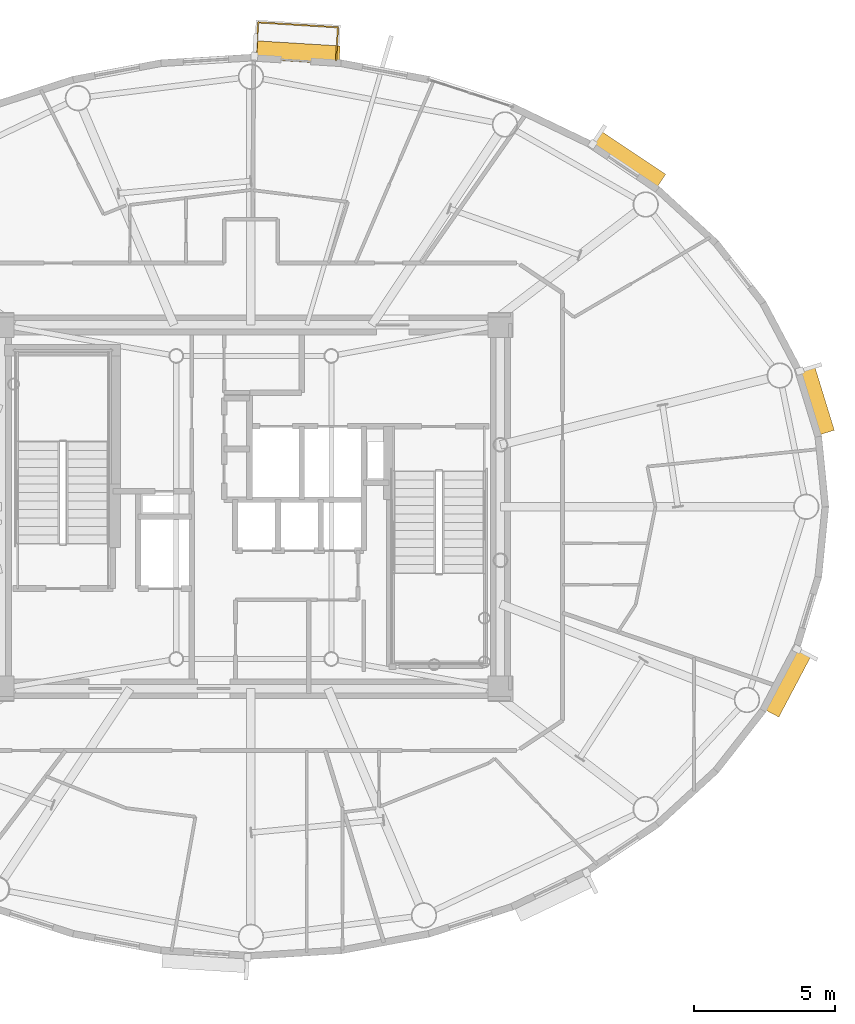
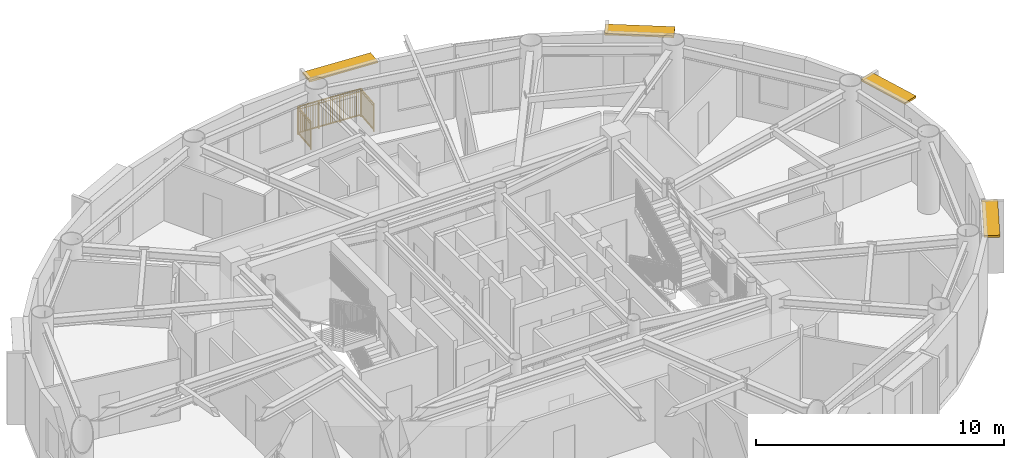
# One storey, part 17 of 17: 4 shading devices, 1 railing.
"""IFC4 building model written with IfcOpenShell, lengths in metres."""

from ifc_helpers import new_model, si_unit, direction, frame, origin, origin_2d, place, context, subcontext, project, spatial, rectangle, extrude, source, transform, mapped, material, layer, layer_set, type_object, element, save


model = new_model("IFC4")

# Units and contexts
model_context = context("Model", 3, precision=1e-05, world=origin(), true_north=direction((0.0, 1.0)))
body_context = subcontext(model_context, "Body", "Model", "MODEL_VIEW")
ifc_project = project(units=[si_unit("LENGTHUNIT", "METRE"), si_unit("AREAUNIT", "SQUARE_METRE"), si_unit("VOLUMEUNIT", "CUBIC_METRE"), si_unit("PLANEANGLEUNIT", "RADIAN"), si_unit("MASSUNIT", "GRAM", prefix="KILO")], contexts=[model_context])

# Site, building, storey
site_placement = place(None, origin())
site = spatial("IfcSite", under=ifc_project, at=site_placement, CompositionType="ELEMENT")
building_placement = place(site_placement, origin())
building = spatial("IfcBuilding", under=site, at=building_placement, Name="Linh Dai School and Residence Tower", CompositionType="ELEMENT")
storey_placement = place(building_placement, frame((0.0, 0.0, 331.60009765625)))
storey = spatial("IfcBuildingStorey", under=building, at=storey_placement, Name="L82", CompositionType="ELEMENT", Elevation=331.60009765625)

# Shading devices
ifc_material_1 = material(Name="Terracotta Ceramic Sunshade", Category="masonry")
ifc_layer = layer(ifc_material_1, 0.10009765625)
ifc_layer_set = layer_set([ifc_layer], Name="Terracotta Ceramic Sunshade")
shading_device_type = type_object("IfcShadingDeviceType", Name="SHD-TC-650", PredefinedType="USERDEFINED", material=ifc_layer_set)
shared_shape_1 = source(origin(), body_context, "Body", "SweptSolid", [
    extrude(rectangle(XDim=2.4365234375, YDim=0.64990234375, at=origin_2d()), origin(), (0.0, 0.0, 1.0), 0.10009765625),
])
shading_device_1_placement = place(storey_placement, frame((56.025634765625, 30.78369140625, 3.429931640625), z_axis=(0.0, 0.0, 1.0), x_axis=(0.293094784248, -0.956083389379, 0.0)))
element("IfcShadingDevice", 1, at=shading_device_1_placement, inside=storey, type_object=shading_device_type, Name="L82 Terracotta Horizontal Sunshade Band 02", ObjectType="SUNSHADE", PredefinedType="USERDEFINED", context=body_context, shape_type="MappedRepresentation", body=[
    mapped(shared_shape_1, transform((0.0, 0.0, 0.0), x_axis=(1.0, 0.0, 0.0), y_axis=(0.0, 1.0, 0.0), z_axis=(0.0, 0.0, 1.0), scale=1.0)),
])
shared_shape_2 = source(origin(), body_context, "Body", "SweptSolid", [
    extrude(rectangle(XDim=2.8076171875, YDim=0.64990234375, at=origin_2d()), origin(), (0.0, 0.0, 1.0), 0.10009765625),
])
shading_device_2_placement = place(storey_placement, frame((49.361572265625, 39.303955078125, 3.429931640625), z_axis=(0.0, 0.0, 1.0), x_axis=(0.831201837679, -0.555970777144, 0.0)))
element("IfcShadingDevice", 2, at=shading_device_2_placement, inside=storey, type_object=shading_device_type, Name="L82 Terracotta Horizontal Sunshade Band 06", ObjectType="SUNSHADE", PredefinedType="USERDEFINED", context=body_context, shape_type="MappedRepresentation", body=[
    mapped(shared_shape_2, transform((0.0, 0.0, 0.0), x_axis=(1.0, 0.0, 0.0), y_axis=(0.0, 1.0, 0.0), z_axis=(0.0, 0.0, 1.0), scale=1.0)),
])
shared_shape_3 = source(origin(), body_context, "Body", "SweptSolid", [
    extrude(rectangle(XDim=3.069580078125, YDim=0.64990234375, at=origin_2d()), origin(), (0.0, 0.0, 1.0), 0.10009765625),
])
shading_device_3_placement = place(storey_placement, frame((37.61328125, 43.1162109375, 3.429931640625), z_axis=(0.0, 0.0, 1.0), x_axis=(0.998105945335, -0.061518467854, 0.0)))
element("IfcShadingDevice", 3, at=shading_device_3_placement, inside=storey, type_object=shading_device_type, Name="L82 Terracotta Horizontal Sunshade Band 10", ObjectType="SUNSHADE", PredefinedType="USERDEFINED", context=body_context, shape_type="MappedRepresentation", body=[
    mapped(shared_shape_3, transform((0.0, 0.0, 0.0), x_axis=(1.0, 0.0, 0.0), y_axis=(0.0, 1.0, 0.0), z_axis=(0.0, 0.0, 1.0), scale=1.0)),
])
shared_shape_4 = source(origin(), body_context, "Body", "SweptSolid", [
    extrude(rectangle(XDim=2.505615234375, YDim=0.64990234375, at=origin_2d()), origin(), (0.0, 0.0, 1.0), 0.10009765625),
])
shading_device_4_placement = place(storey_placement, frame((55.02294921875, 20.7998046875, 3.429931640625), z_axis=(0.0, 0.0, 1.0), x_axis=(-0.46754020214, -0.883971809156, 0.0)))
element("IfcShadingDevice", 4, at=shading_device_4_placement, inside=storey, type_object=shading_device_type, Name="L82 Terracotta Horizontal Sunshade Band 38", ObjectType="SUNSHADE", PredefinedType="USERDEFINED", context=body_context, shape_type="MappedRepresentation", body=[
    mapped(shared_shape_4, transform((0.0, 0.0, 0.0), x_axis=(1.0, 0.0, 0.0), y_axis=(0.0, 1.0, 0.0), z_axis=(0.0, 0.0, 1.0), scale=1.0)),
])

# Railing
ifc_material_2 = material(Name="Structural Steel S355JR", Category="steel")
railing_type = type_object("IfcRailingType", Name="RL-BAL-1400", PredefinedType="BALUSTRADE", material=ifc_material_2)
shared_shape_5 = source(origin(), body_context, "Body", "SweptSolid", [
    extrude(rectangle(XDim=0.048095703125, YDim=0.048095703125, at=origin_2d()), frame((0.0, 0.0, 1.3759765625), z_axis=(0.061644198964, 0.998098187922, 0.0), x_axis=(-0.998098187922, 0.061644198964, 0.0)), (0.0, 0.0, 1.0), 1.18017578125),
    extrude(rectangle(XDim=0.048095703125, YDim=0.048095703125, at=origin_2d()), frame((0.0, 0.0, 0.10009765625), z_axis=(0.061644198964, 0.998098187922, 0.0), x_axis=(-0.998098187922, 0.061644198964, 0.0)), (0.0, 0.0, 1.0), 1.18017578125),
    extrude(rectangle(XDim=0.030029296875, YDim=0.030029296875, at=origin_2d()), frame((0.0, 0.0, 1.239990234375), z_axis=(0.061644198964, 0.998098187922, 0.0), x_axis=(-0.998098187922, 0.061644198964, 0.0)), (0.0, 0.0, 1.0), 1.18017578125),
    extrude(rectangle(XDim=0.02001953125, YDim=0.02001953125, at=origin_2d()), frame((0.005615234375, 0.090576171875, 0.10009765625)), (0.0, 0.0, 1.0), 1.251708984375),
    extrude(rectangle(XDim=0.02001953125, YDim=0.02001953125, at=origin_2d()), frame((0.01123046875, 0.18115234375, 0.10009765625)), (0.0, 0.0, 1.0), 1.251708984375),
    extrude(rectangle(XDim=0.02001953125, YDim=0.02001953125, at=origin_2d()), frame((0.016845703125, 0.271728515625, 0.10009765625)), (0.0, 0.0, 1.0), 1.251708984375),
    extrude(rectangle(XDim=0.02001953125, YDim=0.02001953125, at=origin_2d()), frame((0.0224609375, 0.362548828125, 0.10009765625)), (0.0, 0.0, 1.0), 1.251708984375),
    extrude(rectangle(XDim=0.02001953125, YDim=0.02001953125, at=origin_2d()), frame((0.028076171875, 0.453125, 0.10009765625)), (0.0, 0.0, 1.0), 1.251708984375),
    extrude(rectangle(XDim=0.02001953125, YDim=0.02001953125, at=origin_2d()), frame((0.03369140625, 0.543701171875, 0.10009765625)), (0.0, 0.0, 1.0), 1.251708984375),
    extrude(rectangle(XDim=0.02001953125, YDim=0.02001953125, at=origin_2d()), frame((0.0390625, 0.63427734375, 0.10009765625)), (0.0, 0.0, 1.0), 1.251708984375),
    extrude(rectangle(XDim=0.02001953125, YDim=0.02001953125, at=origin_2d()), frame((0.044677734375, 0.724853515625, 0.10009765625)), (0.0, 0.0, 1.0), 1.251708984375),
    extrude(rectangle(XDim=0.02001953125, YDim=0.02001953125, at=origin_2d()), frame((0.05029296875, 0.8154296875, 0.10009765625)), (0.0, 0.0, 1.0), 1.251708984375),
    extrude(rectangle(XDim=0.02001953125, YDim=0.02001953125, at=origin_2d()), frame((0.055908203125, 0.90625, 0.10009765625)), (0.0, 0.0, 1.0), 1.251708984375),
    extrude(rectangle(XDim=0.02001953125, YDim=0.02001953125, at=origin_2d()), frame((0.0615234375, 0.996826171875, 0.10009765625)), (0.0, 0.0, 1.0), 1.251708984375),
    extrude(rectangle(XDim=0.02001953125, YDim=0.02001953125, at=origin_2d()), frame((0.067138671875, 1.08740234375, 0.10009765625)), (0.0, 0.0, 1.0), 1.251708984375),
    extrude(rectangle(XDim=0.048095703125, YDim=0.048095703125, at=origin_2d()), frame((0.07275390625, 1.177978515625, 1.3759765625), z_axis=(0.998105778467, -0.061521175138, 0.0), x_axis=(0.061521175138, 0.998105778467, 0.0)), (0.0, 0.0, 1.0), 2.83740234375),
    extrude(rectangle(XDim=0.048095703125, YDim=0.048095703125, at=origin_2d()), frame((0.07275390625, 1.177978515625, 0.10009765625), z_axis=(0.998105778467, -0.061521175138, 0.0), x_axis=(0.061521175138, 0.998105778467, 0.0)), (0.0, 0.0, 1.0), 2.83740234375),
    extrude(rectangle(XDim=0.030029296875, YDim=0.030029296875, at=origin_2d()), frame((0.07275390625, 1.177978515625, 1.239990234375), z_axis=(0.998105778467, -0.061521175138, 0.0), x_axis=(0.061521175138, 0.998105778467, 0.0)), (0.0, 0.0, 1.0), 2.83740234375),
    extrude(rectangle(XDim=0.02001953125, YDim=0.02001953125, at=origin_2d()), frame((0.17041015625, 1.171875, 0.10009765625)), (0.0, 0.0, 1.0), 1.251708984375),
    extrude(rectangle(XDim=0.02001953125, YDim=0.02001953125, at=origin_2d()), frame((0.26806640625, 1.166015625, 0.10009765625)), (0.0, 0.0, 1.0), 1.251708984375),
    extrude(rectangle(XDim=0.02001953125, YDim=0.02001953125, at=origin_2d()), frame((0.36572265625, 1.159912109375, 0.10009765625)), (0.0, 0.0, 1.0), 1.251708984375),
    extrude(rectangle(XDim=0.02001953125, YDim=0.02001953125, at=origin_2d()), frame((0.46337890625, 1.15380859375, 0.10009765625)), (0.0, 0.0, 1.0), 1.251708984375),
    extrude(rectangle(XDim=0.02001953125, YDim=0.02001953125, at=origin_2d()), frame((0.56103515625, 1.14794921875, 0.10009765625)), (0.0, 0.0, 1.0), 1.251708984375),
    extrude(rectangle(XDim=0.02001953125, YDim=0.02001953125, at=origin_2d()), frame((0.65869140625, 1.141845703125, 0.10009765625)), (0.0, 0.0, 1.0), 1.251708984375),
    extrude(rectangle(XDim=0.02001953125, YDim=0.02001953125, at=origin_2d()), frame((0.75634765625, 1.1357421875, 0.10009765625)), (0.0, 0.0, 1.0), 1.251708984375),
    extrude(rectangle(XDim=0.02001953125, YDim=0.02001953125, at=origin_2d()), frame((0.85400390625, 1.1298828125, 0.10009765625)), (0.0, 0.0, 1.0), 1.251708984375),
    extrude(rectangle(XDim=0.02001953125, YDim=0.02001953125, at=origin_2d()), frame((0.95166015625, 1.123779296875, 0.10009765625)), (0.0, 0.0, 1.0), 1.251708984375),
    extrude(rectangle(XDim=0.02001953125, YDim=0.02001953125, at=origin_2d()), frame((1.14697265625, 1.11181640625, 0.10009765625)), (0.0, 0.0, 1.0), 1.251708984375),
    extrude(rectangle(XDim=0.02001953125, YDim=0.02001953125, at=origin_2d()), frame((1.24462890625, 1.105712890625, 0.10009765625)), (0.0, 0.0, 1.0), 1.251708984375),
    extrude(rectangle(XDim=0.02001953125, YDim=0.02001953125, at=origin_2d()), frame((1.34228515625, 1.099609375, 0.10009765625)), (0.0, 0.0, 1.0), 1.251708984375),
    extrude(rectangle(XDim=0.02001953125, YDim=0.02001953125, at=origin_2d()), frame((1.43994140625, 1.09375, 0.10009765625)), (0.0, 0.0, 1.0), 1.251708984375),
    extrude(rectangle(XDim=0.02001953125, YDim=0.02001953125, at=origin_2d()), frame((1.53759765625, 1.087646484375, 0.10009765625)), (0.0, 0.0, 1.0), 1.251708984375),
    extrude(rectangle(XDim=0.02001953125, YDim=0.02001953125, at=origin_2d()), frame((1.63525390625, 1.081787109375, 0.10009765625)), (0.0, 0.0, 1.0), 1.251708984375),
    extrude(rectangle(XDim=0.02001953125, YDim=0.02001953125, at=origin_2d()), frame((1.73291015625, 1.07568359375, 0.10009765625)), (0.0, 0.0, 1.0), 1.251708984375),
    extrude(rectangle(XDim=0.02001953125, YDim=0.02001953125, at=origin_2d()), frame((1.83056640625, 1.069580078125, 0.10009765625)), (0.0, 0.0, 1.0), 1.251708984375),
    extrude(rectangle(XDim=0.02001953125, YDim=0.02001953125, at=origin_2d()), frame((2.02587890625, 1.0576171875, 0.10009765625)), (0.0, 0.0, 1.0), 1.251708984375),
    extrude(rectangle(XDim=0.02001953125, YDim=0.02001953125, at=origin_2d()), frame((2.12353515625, 1.051513671875, 0.10009765625)), (0.0, 0.0, 1.0), 1.251708984375),
    extrude(rectangle(XDim=0.02001953125, YDim=0.02001953125, at=origin_2d()), frame((2.22119140625, 1.045654296875, 0.10009765625)), (0.0, 0.0, 1.0), 1.251708984375),
    extrude(rectangle(XDim=0.02001953125, YDim=0.02001953125, at=origin_2d()), frame((2.31884765625, 1.03955078125, 0.10009765625)), (0.0, 0.0, 1.0), 1.251708984375),
    extrude(rectangle(XDim=0.02001953125, YDim=0.02001953125, at=origin_2d()), frame((2.41650390625, 1.033447265625, 0.10009765625)), (0.0, 0.0, 1.0), 1.251708984375),
    extrude(rectangle(XDim=0.02001953125, YDim=0.02001953125, at=origin_2d()), frame((2.51416015625, 1.027587890625, 0.10009765625)), (0.0, 0.0, 1.0), 1.251708984375),
    extrude(rectangle(XDim=0.02001953125, YDim=0.02001953125, at=origin_2d()), frame((2.61181640625, 1.021484375, 0.10009765625)), (0.0, 0.0, 1.0), 1.251708984375),
    extrude(rectangle(XDim=0.02001953125, YDim=0.02001953125, at=origin_2d()), frame((2.70947265625, 1.015380859375, 0.10009765625)), (0.0, 0.0, 1.0), 1.251708984375),
    extrude(rectangle(XDim=0.02001953125, YDim=0.02001953125, at=origin_2d()), frame((2.80712890625, 1.009521484375, 0.10009765625)), (0.0, 0.0, 1.0), 1.251708984375),
    extrude(rectangle(XDim=0.048095703125, YDim=0.048095703125, at=origin_2d()), frame((2.90478515625, 1.00341796875, 1.3759765625), z_axis=(-0.061438121367, -0.998110894261, 0.0), x_axis=(0.998110894261, -0.061438121367, 0.0)), (0.0, 0.0, 1.0), 1.18017578125),
    extrude(rectangle(XDim=0.048095703125, YDim=0.048095703125, at=origin_2d()), frame((2.90478515625, 1.00341796875, 0.10009765625), z_axis=(-0.061438121367, -0.998110894261, 0.0), x_axis=(0.998110894261, -0.061438121367, 0.0)), (0.0, 0.0, 1.0), 1.18017578125),
    extrude(rectangle(XDim=0.030029296875, YDim=0.030029296875, at=origin_2d()), frame((2.90478515625, 1.00341796875, 1.239990234375), z_axis=(-0.061438121367, -0.998110894261, 0.0), x_axis=(0.998110894261, -0.061438121367, 0.0)), (0.0, 0.0, 1.0), 1.18017578125),
    extrude(rectangle(XDim=0.02001953125, YDim=0.02001953125, at=origin_2d()), frame((2.899169921875, 0.912841796875, 0.10009765625)), (0.0, 0.0, 1.0), 1.251708984375),
    extrude(rectangle(XDim=0.02001953125, YDim=0.02001953125, at=origin_2d()), frame((2.8935546875, 0.822265625, 0.10009765625)), (0.0, 0.0, 1.0), 1.251708984375),
    extrude(rectangle(XDim=0.02001953125, YDim=0.02001953125, at=origin_2d()), frame((2.887939453125, 0.731689453125, 0.10009765625)), (0.0, 0.0, 1.0), 1.251708984375),
    extrude(rectangle(XDim=0.02001953125, YDim=0.02001953125, at=origin_2d()), frame((2.882568359375, 0.640869140625, 0.10009765625)), (0.0, 0.0, 1.0), 1.251708984375),
    extrude(rectangle(XDim=0.02001953125, YDim=0.02001953125, at=origin_2d()), frame((2.876953125, 0.55029296875, 0.10009765625)), (0.0, 0.0, 1.0), 1.251708984375),
    extrude(rectangle(XDim=0.02001953125, YDim=0.02001953125, at=origin_2d()), frame((2.871337890625, 0.459716796875, 0.10009765625)), (0.0, 0.0, 1.0), 1.251708984375),
    extrude(rectangle(XDim=0.02001953125, YDim=0.02001953125, at=origin_2d()), frame((2.86572265625, 0.369140625, 0.10009765625)), (0.0, 0.0, 1.0), 1.251708984375),
    extrude(rectangle(XDim=0.02001953125, YDim=0.02001953125, at=origin_2d()), frame((2.860107421875, 0.278564453125, 0.10009765625)), (0.0, 0.0, 1.0), 1.251708984375),
    extrude(rectangle(XDim=0.02001953125, YDim=0.02001953125, at=origin_2d()), frame((2.8544921875, 0.18798828125, 0.10009765625)), (0.0, 0.0, 1.0), 1.251708984375),
    extrude(rectangle(XDim=0.02001953125, YDim=0.02001953125, at=origin_2d()), frame((2.84912109375, 0.09716796875, 0.10009765625)), (0.0, 0.0, 1.0), 1.251708984375),
    extrude(rectangle(XDim=0.02001953125, YDim=0.02001953125, at=origin_2d()), frame((2.843505859375, 0.006591796875, 0.10009765625)), (0.0, 0.0, 1.0), 1.251708984375),
    extrude(rectangle(XDim=0.02001953125, YDim=0.02001953125, at=origin_2d()), frame((2.837890625, -0.083984375, 0.10009765625)), (0.0, 0.0, 1.0), 1.251708984375),
    extrude(rectangle(XDim=0.0419921875, YDim=0.0419921875, at=origin_2d()), origin(), (0.0, 0.0, 1.0), 1.3759765625),
    extrude(rectangle(XDim=0.0419921875, YDim=0.0419921875, at=origin_2d()), frame((0.07275390625, 1.177978515625, 0.0)), (0.0, 0.0, 1.0), 1.3759765625),
    extrude(rectangle(XDim=0.0419921875, YDim=0.0419921875, at=origin_2d()), frame((1.016845703125, 1.119873046875, 0.0)), (0.0, 0.0, 1.0), 1.3759765625),
    extrude(rectangle(XDim=0.0419921875, YDim=0.0419921875, at=origin_2d()), frame((1.960693359375, 1.0615234375, 0.0)), (0.0, 0.0, 1.0), 1.3759765625),
    extrude(rectangle(XDim=0.0419921875, YDim=0.0419921875, at=origin_2d()), frame((2.90478515625, 1.00341796875, 0.0)), (0.0, 0.0, 1.0), 1.3759765625),
    extrude(rectangle(XDim=0.0419921875, YDim=0.0419921875, at=origin_2d()), frame((2.832275390625, -0.174560546875, 0.0)), (0.0, 0.0, 1.0), 1.3759765625),
])
railing_placement = place(storey_placement, frame((36.184814453125, 43.003662109375, 0.0)))
element("IfcRailing", 5, at=railing_placement, inside=storey, type_object=railing_type, Name="L82 Balcony Safety Balustrade 10", PredefinedType="BALUSTRADE", context=body_context, shape_type="MappedRepresentation", body=[
    mapped(shared_shape_5, transform((0.0, 0.0, 0.0), x_axis=(1.0, 0.0, 0.0), y_axis=(0.0, 1.0, 0.0), z_axis=(0.0, 0.0, 1.0), scale=1.0)),
])

save(model, "model.ifc")
